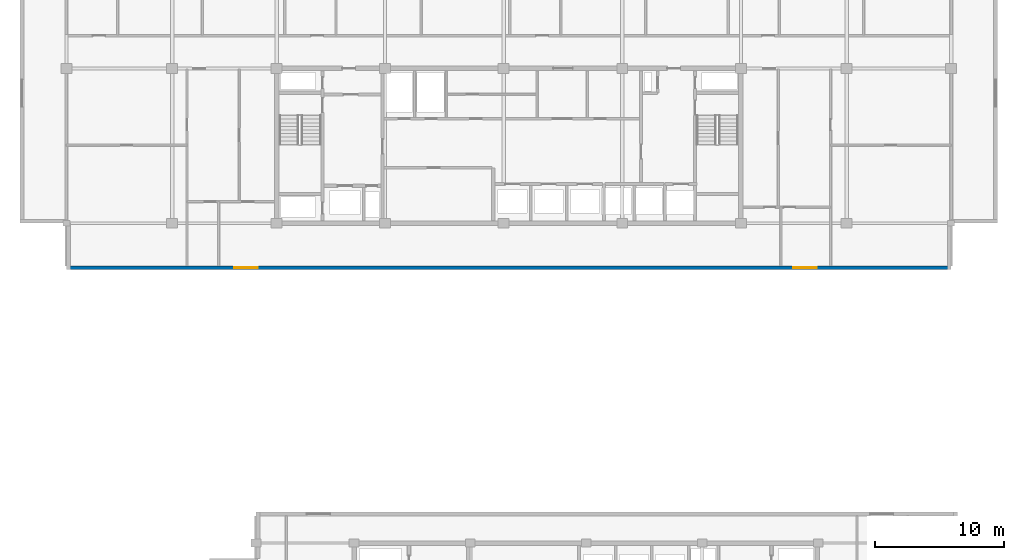
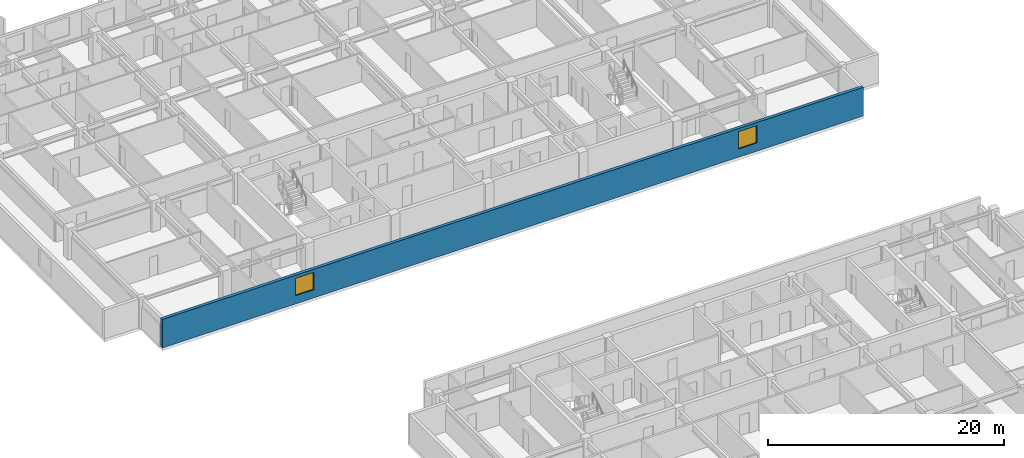
# One storey, part 9 of 23: 2 windows, 1 wall, 2 openings.
"""IFC4 building model written with IfcOpenShell, lengths in metres."""

from ifc_helpers import new_model, si_unit, direction, frame, frame_2d, origin, place, context, subcontext, project, spatial, rectangle, extrude, material, layer, layer_set, type_object, element, fill, save


model = new_model("IFC4")

# Units and contexts
model_context = context("Model", 3, precision=1e-05, world=origin(), true_north=direction((0.0, 1.0)))
body_context = subcontext(model_context, "Body", "Model", "MODEL_VIEW")
ifc_project = project(units=[si_unit("LENGTHUNIT", "METRE"), si_unit("AREAUNIT", "SQUARE_METRE"), si_unit("VOLUMEUNIT", "CUBIC_METRE"), si_unit("PLANEANGLEUNIT", "RADIAN"), si_unit("MASSUNIT", "GRAM", prefix="KILO")], contexts=[model_context])

# Site, building, storey
site_placement = place(None, origin())
site = spatial("IfcSite", under=ifc_project, at=site_placement, CompositionType="ELEMENT")
building_placement = place(site_placement, origin())
building = spatial("IfcBuilding", under=site, at=building_placement, Name="Korimba Cascade Residences", CompositionType="ELEMENT")
storey_placement = place(building_placement, frame((0.0, 0.0, 165.35009765625)))
storey = spatial("IfcBuildingStorey", under=building, at=storey_placement, Name="L47", CompositionType="ELEMENT", Elevation=165.35009765625)

# Wall, openings, windows
ifc_material_1 = material(Name="Precast concrete C40/50", Category="concrete")
ifc_layer = layer(ifc_material_1, 0.300048828125)
ifc_layer_set = layer_set([ifc_layer], Name="Precast concrete C40/50")
wall_type = type_object("IfcWallType", Name="EW-STONE-300", PredefinedType="STANDARD", material=ifc_layer_set)
wall_placement = place(storey_placement, frame((59.800048828125, 51.75, 0.0), z_axis=(0.0, 0.0, 1.0), x_axis=(1.0, 0.0, 0.0)))
wall = element("IfcWall", 1, at=wall_placement, inside=storey, type_object=wall_type, Name="L47 T1 Perimeter Stone Wall E00", PredefinedType="STANDARD", context=body_context, shape_type="SweptSolid", body=[
    extrude(rectangle(XDim=68.599853515625, YDim=0.300048828125, at=frame_2d((34.2998046875, 0.0))), origin(), (0.0, 0.0, 1.0), 2.969970703125),
])
opening_1_placement = place(wall_placement, frame((13.02490234375, 0.0, 0.85009765625)))
opening_1 = element("IfcOpeningElement", 2, at=opening_1_placement, cuts=wall, Name="Opening W-02", PredefinedType="OPENING", context=body_context, shape_type="SweptSolid", body=[
    extrude(rectangle(XDim=1.800048828125, YDim=1.800048828125, at=frame_2d((0.89990234375, 0.89990234375))), frame((0.0, 0.16015625, 0.0), z_axis=(0.0, -1.0, 0.0), x_axis=(1.0, 0.0, 0.0)), (0.0, 0.0, 1.0), 0.320068359375),
])
opening_2_placement = place(wall_placement, frame((56.375, 0.0, 0.85009765625)))
opening_2 = element("IfcOpeningElement", 3, at=opening_2_placement, cuts=wall, Name="Opening W-02", PredefinedType="OPENING", context=body_context, shape_type="SweptSolid", body=[
    extrude(rectangle(XDim=1.800048828125, YDim=1.800048828125, at=frame_2d((0.89990234375, 0.89990234375))), frame((0.0, 0.16015625, 0.0), z_axis=(0.0, -1.0, 0.0), x_axis=(1.0, 0.0, 0.0)), (0.0, 0.0, 1.0), 0.320068359375),
])
ifc_material_2 = material(Name="Double-Glazed Aluminium Window", Category="aluminium")
window_type = type_object("IfcWindowType", Name="WIN-BED-1800", PartitioningType="SINGLE_PANEL", PredefinedType="WINDOW", material=ifc_material_2)
window_1_placement = place(opening_1_placement, origin())
window_1 = element("IfcWindow", 4, at=window_1_placement, inside=storey, type_object=window_type, Name="L47 T1 South Corner Bedroom Window 1", OverallHeight=1.800048828125, OverallWidth=1.800048828125, PartitioningType="SINGLE_PANEL", PredefinedType="WINDOW", context=body_context, shape_type="SweptSolid", body=[
    extrude(rectangle(XDim=1.800048828125, YDim=1.800048828125, at=frame_2d((0.89990234375, 0.89990234375))), frame((0.0, 0.030029296875, 0.0), z_axis=(0.0, -1.0, 0.0), x_axis=(1.0, 0.0, 0.0)), (0.0, 0.0, 1.0), 0.06005859375),
])
fill(opening_1, window_1)
window_2_placement = place(opening_2_placement, origin())
window_2 = element("IfcWindow", 5, at=window_2_placement, inside=storey, type_object=window_type, Name="L47 T1 South Corner Bedroom Window 2", OverallHeight=1.800048828125, OverallWidth=1.800048828125, PartitioningType="SINGLE_PANEL", PredefinedType="WINDOW", context=body_context, shape_type="SweptSolid", body=[
    extrude(rectangle(XDim=1.800048828125, YDim=1.800048828125, at=frame_2d((0.89990234375, 0.89990234375))), frame((0.0, 0.030029296875, 0.0), z_axis=(0.0, -1.0, 0.0), x_axis=(1.0, 0.0, 0.0)), (0.0, 0.0, 1.0), 0.06005859375),
])
fill(opening_2, window_2)

save(model, "model.ifc")
